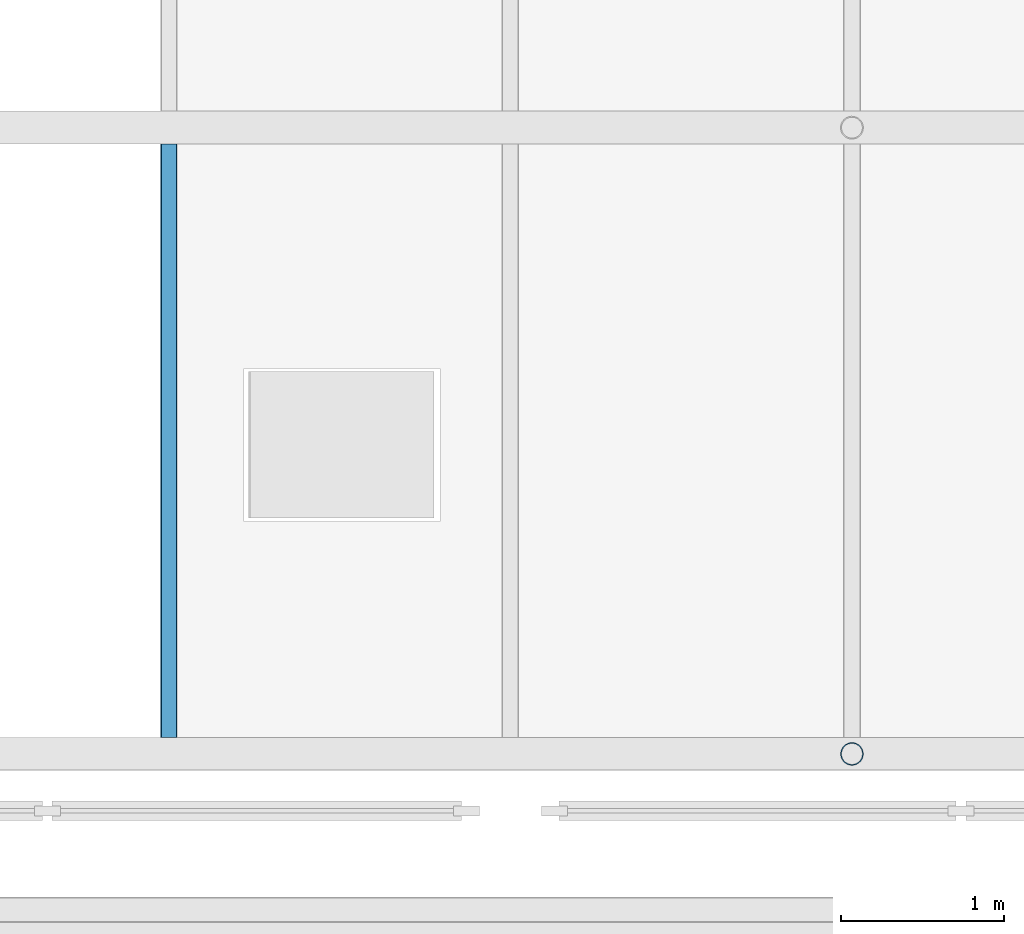
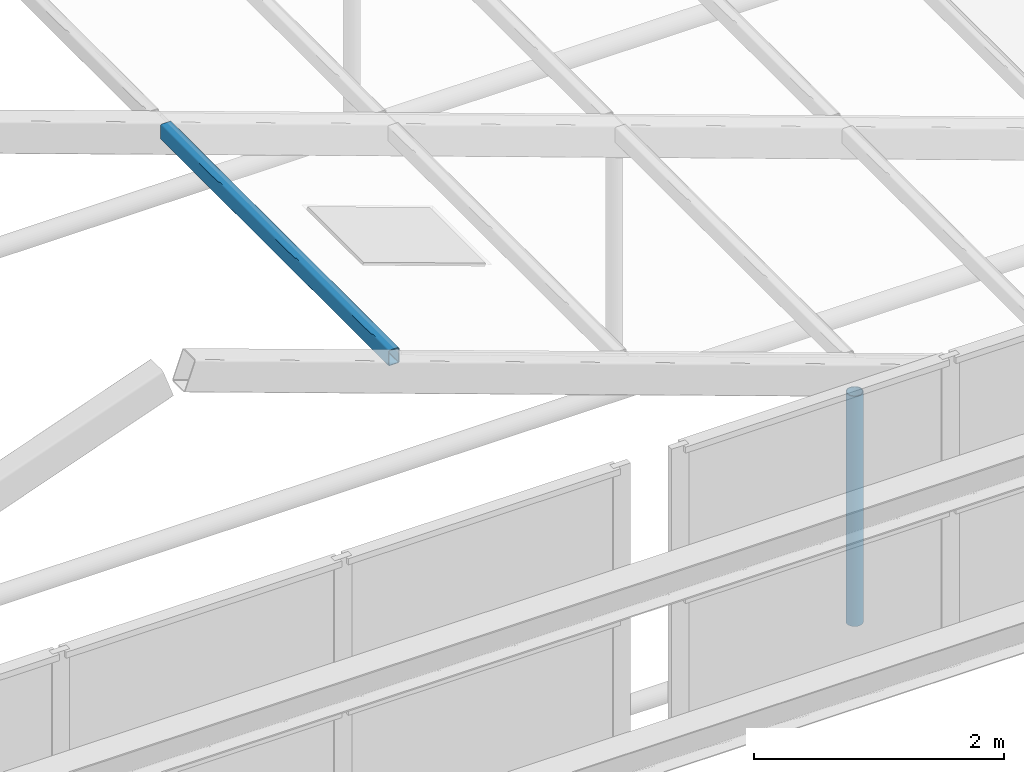
# One storey, part 28 of 116: 2 members.
"""IFC4 building model written with IfcOpenShell, lengths in metres."""

from ifc_helpers import new_model, si_unit, direction, frame, origin, origin_2d, place, context, subcontext, project, spatial, hollow_rectangle, hollow_circle, extrude, material, material_profile, profile_set, type_object, element, save


model = new_model("IFC4")

# Units and contexts
model_context = context("Model", 3, precision=1e-05, world=origin(), true_north=direction((0.0, 1.0)))
body_context = subcontext(model_context, "Body", "Model", "MODEL_VIEW")
ifc_project = project(units=[si_unit("LENGTHUNIT", "METRE"), si_unit("AREAUNIT", "SQUARE_METRE"), si_unit("VOLUMEUNIT", "CUBIC_METRE"), si_unit("PLANEANGLEUNIT", "RADIAN"), si_unit("MASSUNIT", "GRAM", prefix="KILO")], contexts=[model_context])

# Site, building, storey
site_placement = place(None, origin())
site = spatial("IfcSite", under=ifc_project, at=site_placement, CompositionType="ELEMENT")
building_placement = place(site_placement, origin())
building = spatial("IfcBuilding", under=site, at=building_placement, Name="Fescue Hill Polytechnic", CompositionType="ELEMENT")
storey_placement = place(building_placement, frame((0.0, 0.0, 13.5)))
storey = spatial("IfcBuildingStorey", under=building, at=storey_placement, Name="L03", CompositionType="ELEMENT", Elevation=13.5)

# Members
ifc_material = material(Name="Steel 350W (350 MPa)", Category="steel")
ifc_material_profile_1 = material_profile(ifc_material, hollow_rectangle(XDim=0.1015625, YDim=0.15234375, WallThickness=0.00634765625, InnerFilletRadius=0.00634765625, OuterFilletRadius=0.0126953125, at=origin_2d()), Name="Winter garden glazing purlin HSS 152x102x6.4")
ifc_profile_set_1 = profile_set([ifc_material_profile_1], Name="Steel 350W (350 MPa)")
member_type_1 = type_object("IfcMemberType", Name="Winter garden glazing purlin HSS 152x102x6.4", PredefinedType="PURLIN", material=ifc_profile_set_1)
member_1_placement = place(storey_placement, frame((107.100341796875, 50.8515625, 4.414306640625), z_axis=(0.0, 1.0, 0.0), x_axis=(-1.0, 0.0, 0.0)))
element("IfcMember", 1, at=member_1_placement, inside=storey, type_object=member_type_1, Name="Winter garden glazing purlin E5 bay 1", PredefinedType="PURLIN", context=body_context, shape_type="SweptSolid", body=[
    extrude(hollow_rectangle(XDim=0.1015625, YDim=0.15234375, WallThickness=0.00634765625, InnerFilletRadius=0.00634765625, OuterFilletRadius=0.0126953125, at=origin_2d()), origin(), (0.0, 0.0, 1.0), 3.646728515625),
])
ifc_material_profile_2 = material_profile(ifc_material, hollow_circle(Radius=0.070556640625, WallThickness=0.00634765625, at=origin_2d()), Name="Winter garden queen post CHS 141x6.4")
ifc_profile_set_2 = profile_set([ifc_material_profile_2], Name="Steel 350W (350 MPa)")
member_type_2 = type_object("IfcMemberType", Name="Winter garden queen post CHS 141x6.4", PredefinedType="POST", material=ifc_profile_set_2)
member_2_placement = place(storey_placement, frame((111.300048828125, 50.75, 0.4169921875), z_axis=(0.0, 0.0, 1.0), x_axis=(1.0, 0.0, 0.0)))
element("IfcMember", 2, at=member_2_placement, inside=storey, type_object=member_type_2, Name="Winter garden queen post 1B", PredefinedType="POST", context=body_context, shape_type="SweptSolid", body=[
    extrude(hollow_circle(Radius=0.070556640625, WallThickness=0.00634765625, at=origin_2d()), origin(), (0.0, 0.0, 1.0), 2.25),
])

save(model, "model.ifc")
